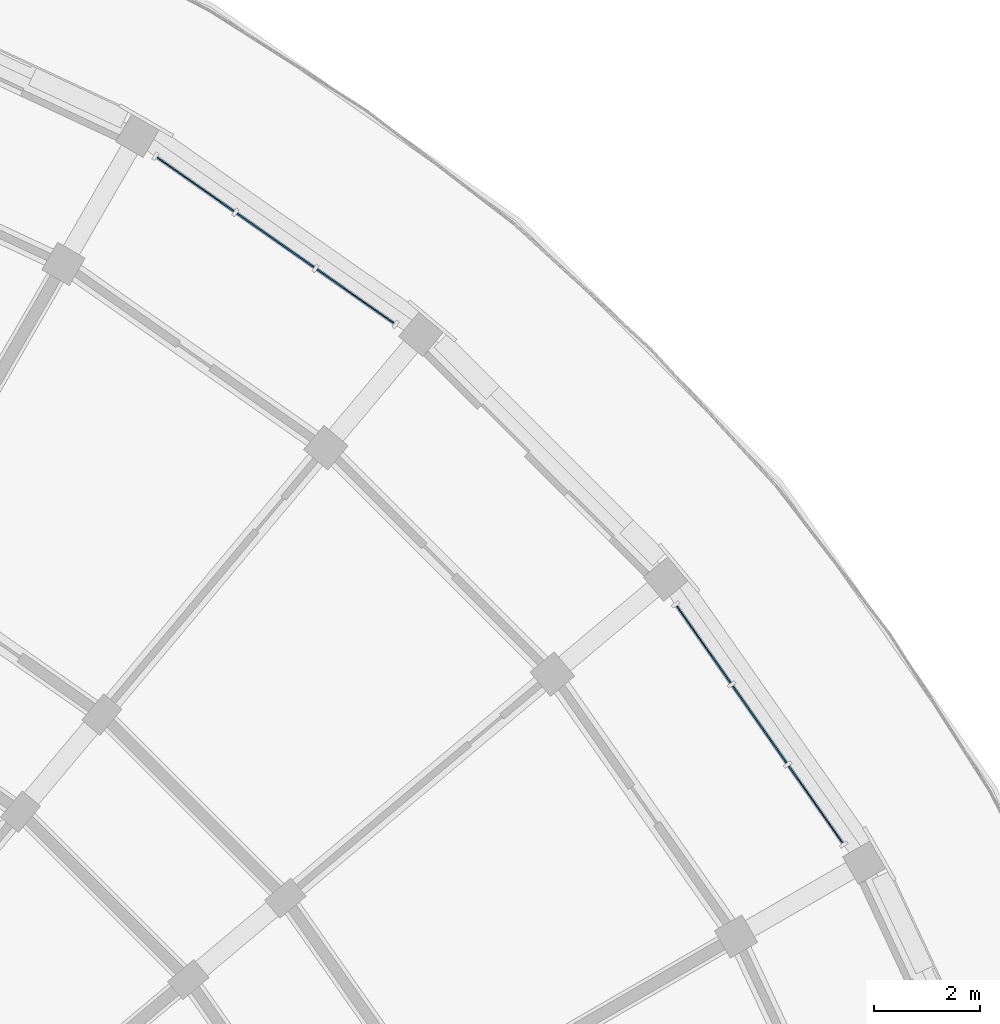
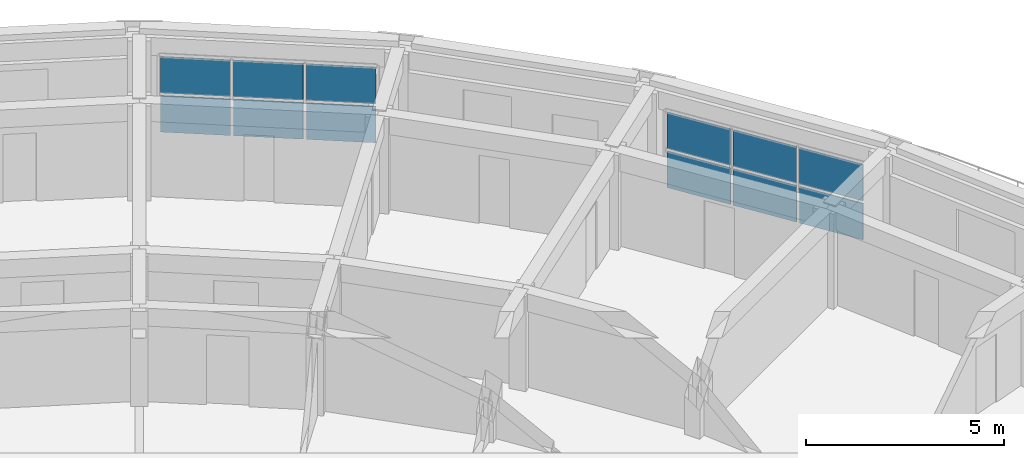
# One storey, part 10 of 36: 12 plates, 2 elements without a shape of their own.
"""IFC4 building model written with IfcOpenShell, lengths in metres."""

from ifc_helpers import new_model, si_unit, direction, frame, origin, origin_2d, place, context, subcontext, project, spatial, rectangle, extrude, material, layer, layer_set, type_object, element, aggregate, save


model = new_model("IFC4")

# Units and contexts
model_context = context("Model", 3, precision=1e-05, world=origin(), true_north=direction((0.0, 1.0)))
body_context = subcontext(model_context, "Body", "Model", "MODEL_VIEW")
ifc_project = project(units=[si_unit("LENGTHUNIT", "METRE"), si_unit("AREAUNIT", "SQUARE_METRE"), si_unit("VOLUMEUNIT", "CUBIC_METRE"), si_unit("PLANEANGLEUNIT", "RADIAN"), si_unit("MASSUNIT", "GRAM", prefix="KILO")], contexts=[model_context])

# Site, building, storey
site_placement = place(None, origin())
site = spatial("IfcSite", under=ifc_project, at=site_placement, CompositionType="ELEMENT")
building_placement = place(site_placement, origin())
building = spatial("IfcBuilding", under=site, at=building_placement, Name="Kiranvali Square Residences", CompositionType="ELEMENT")
storey_placement = place(building_placement, frame((0.0, 0.0, 37.050048828125)))
storey = spatial("IfcBuildingStorey", under=building, at=storey_placement, Name="L11", CompositionType="ELEMENT", Elevation=37.050048828125)

# Curtain wall, plates
ifc_material_1 = material(Name="Anodised bronze aluminium framing", Category="aluminium")
curtain_wall_type = type_object("IfcCurtainWallType", Name="CW-RES-LOG", PredefinedType="USERDEFINED", material=ifc_material_1)
curtain_wall_1_placement = place(storey_placement, origin())
curtain_wall_1 = element("IfcCurtainWall", 1, at=curtain_wall_1_placement, inside=storey, type_object=curtain_wall_type, Name="Block B L11 stepped curved terrace loggia 4", ObjectType="CURTAIN WALL", PredefinedType="USERDEFINED")
ifc_material_2 = material(Name="Solar-control low-e double glazing", Category="glass")
ifc_layer = layer(ifc_material_2, 0.028076171875)
ifc_layer_set = layer_set([ifc_layer], Name="Solar-control low-e double glazing")
plate_type = type_object("IfcPlateType", Name="PLT-CW-GLZ", PredefinedType="CURTAIN_PANEL", material=ifc_layer_set)
plate_1_placement = place(storey_placement, frame((139.70458984375, 119.442626953125, 0.079833984375), z_axis=(0.0, 0.0, 1.0), x_axis=(0.819152044289, -0.573576436351, 0.0)))
plate_1 = element("IfcPlate", 2, at=plate_1_placement, type_object=plate_type, Name="CW-B-L11-TER-03 glazed panel 1.1", PredefinedType="CURTAIN_PANEL", context=body_context, shape_type="SweptSolid", body=[
    extrude(rectangle(XDim=1.7646484375, YDim=0.028076171875, at=origin_2d()), origin(), (0.0, 0.0, 1.0), 1.1201171875),
])
plate_2_placement = place(storey_placement, frame((139.70458984375, 119.442626953125, 1.27978515625), z_axis=(0.0, 0.0, 1.0), x_axis=(0.819152044289, -0.573576436351, 0.0)))
plate_2 = element("IfcPlate", 3, at=plate_2_placement, type_object=plate_type, Name="CW-B-L11-TER-03 glazed panel 1.2", PredefinedType="CURTAIN_PANEL", context=body_context, shape_type="SweptSolid", body=[
    extrude(rectangle(XDim=1.7646484375, YDim=0.028076171875, at=origin_2d()), origin(), (0.0, 0.0, 1.0), 1.1201171875),
])
plate_3_placement = place(storey_placement, frame((141.215576171875, 118.384521484375, 0.079833984375), z_axis=(0.0, 0.0, 1.0), x_axis=(0.819152044289, -0.573576436351, 0.0)))
plate_3 = element("IfcPlate", 4, at=plate_3_placement, type_object=plate_type, Name="CW-B-L11-TER-03 glazed panel 2.1", PredefinedType="CURTAIN_PANEL", context=body_context, shape_type="SweptSolid", body=[
    extrude(rectangle(XDim=1.7646484375, YDim=0.028076171875, at=origin_2d()), origin(), (0.0, 0.0, 1.0), 1.1201171875),
])
plate_4_placement = place(storey_placement, frame((141.215576171875, 118.384521484375, 1.27978515625), z_axis=(0.0, 0.0, 1.0), x_axis=(0.819152044289, -0.573576436351, 0.0)))
plate_4 = element("IfcPlate", 5, at=plate_4_placement, type_object=plate_type, Name="CW-B-L11-TER-03 glazed panel 2.2", PredefinedType="CURTAIN_PANEL", context=body_context, shape_type="SweptSolid", body=[
    extrude(rectangle(XDim=1.7646484375, YDim=0.028076171875, at=origin_2d()), origin(), (0.0, 0.0, 1.0), 1.1201171875),
])
plate_5_placement = place(storey_placement, frame((142.7265625, 117.32666015625, 0.079833984375), z_axis=(0.0, 0.0, 1.0), x_axis=(0.819152044289, -0.573576436351, 0.0)))
plate_5 = element("IfcPlate", 6, at=plate_5_placement, type_object=plate_type, Name="CW-B-L11-TER-03 glazed panel 3.1", PredefinedType="CURTAIN_PANEL", context=body_context, shape_type="SweptSolid", body=[
    extrude(rectangle(XDim=1.7646484375, YDim=0.028076171875, at=origin_2d()), origin(), (0.0, 0.0, 1.0), 1.1201171875),
])
plate_6_placement = place(storey_placement, frame((142.7265625, 117.32666015625, 1.27978515625), z_axis=(0.0, 0.0, 1.0), x_axis=(0.819152044289, -0.573576436351, 0.0)))
plate_6 = element("IfcPlate", 7, at=plate_6_placement, type_object=plate_type, Name="CW-B-L11-TER-03 glazed panel 3.2", PredefinedType="CURTAIN_PANEL", context=body_context, shape_type="SweptSolid", body=[
    extrude(rectangle(XDim=1.7646484375, YDim=0.028076171875, at=origin_2d()), origin(), (0.0, 0.0, 1.0), 1.1201171875),
])
aggregate(curtain_wall_1, [plate_1, plate_2, plate_3, plate_4, plate_5, plate_6])

curtain_wall_2_placement = place(storey_placement, origin())
curtain_wall_2 = element("IfcCurtainWall", 8, at=curtain_wall_2_placement, inside=storey, type_object=curtain_wall_type, Name="Block B L11 stepped curved terrace loggia 6", ObjectType="CURTAIN WALL", PredefinedType="USERDEFINED")
plate_7_placement = place(storey_placement, frame((149.32666015625, 110.7265625, 0.079833984375), z_axis=(0.0, 0.0, 1.0), x_axis=(0.573576436351, -0.819152044289, 0.0)))
plate_7 = element("IfcPlate", 9, at=plate_7_placement, type_object=plate_type, Name="CW-B-L11-TER-05 glazed panel 1.1", PredefinedType="CURTAIN_PANEL", context=body_context, shape_type="SweptSolid", body=[
    extrude(rectangle(XDim=1.7646484375, YDim=0.028076171875, at=origin_2d()), origin(), (0.0, 0.0, 1.0), 1.1201171875),
])
plate_8_placement = place(storey_placement, frame((149.32666015625, 110.7265625, 1.27978515625), z_axis=(0.0, 0.0, 1.0), x_axis=(0.573576436351, -0.819152044289, 0.0)))
plate_8 = element("IfcPlate", 10, at=plate_8_placement, type_object=plate_type, Name="CW-B-L11-TER-05 glazed panel 1.2", PredefinedType="CURTAIN_PANEL", context=body_context, shape_type="SweptSolid", body=[
    extrude(rectangle(XDim=1.7646484375, YDim=0.028076171875, at=origin_2d()), origin(), (0.0, 0.0, 1.0), 1.1201171875),
])
plate_9_placement = place(storey_placement, frame((150.384521484375, 109.215576171875, 0.079833984375), z_axis=(0.0, 0.0, 1.0), x_axis=(0.573576436351, -0.819152044289, 0.0)))
plate_9 = element("IfcPlate", 11, at=plate_9_placement, type_object=plate_type, Name="CW-B-L11-TER-05 glazed panel 2.1", PredefinedType="CURTAIN_PANEL", context=body_context, shape_type="SweptSolid", body=[
    extrude(rectangle(XDim=1.7646484375, YDim=0.028076171875, at=origin_2d()), origin(), (0.0, 0.0, 1.0), 1.1201171875),
])
plate_10_placement = place(storey_placement, frame((150.384521484375, 109.215576171875, 1.27978515625), z_axis=(0.0, 0.0, 1.0), x_axis=(0.573576436351, -0.819152044289, 0.0)))
plate_10 = element("IfcPlate", 12, at=plate_10_placement, type_object=plate_type, Name="CW-B-L11-TER-05 glazed panel 2.2", PredefinedType="CURTAIN_PANEL", context=body_context, shape_type="SweptSolid", body=[
    extrude(rectangle(XDim=1.7646484375, YDim=0.028076171875, at=origin_2d()), origin(), (0.0, 0.0, 1.0), 1.1201171875),
])
plate_11_placement = place(storey_placement, frame((151.442626953125, 107.70458984375, 0.079833984375), z_axis=(0.0, 0.0, 1.0), x_axis=(0.573576436351, -0.819152044289, 0.0)))
plate_11 = element("IfcPlate", 13, at=plate_11_placement, type_object=plate_type, Name="CW-B-L11-TER-05 glazed panel 3.1", PredefinedType="CURTAIN_PANEL", context=body_context, shape_type="SweptSolid", body=[
    extrude(rectangle(XDim=1.7646484375, YDim=0.028076171875, at=origin_2d()), origin(), (0.0, 0.0, 1.0), 1.1201171875),
])
plate_12_placement = place(storey_placement, frame((151.442626953125, 107.70458984375, 1.27978515625), z_axis=(0.0, 0.0, 1.0), x_axis=(0.573576436351, -0.819152044289, 0.0)))
plate_12 = element("IfcPlate", 14, at=plate_12_placement, type_object=plate_type, Name="CW-B-L11-TER-05 glazed panel 3.2", PredefinedType="CURTAIN_PANEL", context=body_context, shape_type="SweptSolid", body=[
    extrude(rectangle(XDim=1.7646484375, YDim=0.028076171875, at=origin_2d()), origin(), (0.0, 0.0, 1.0), 1.1201171875),
])
aggregate(curtain_wall_2, [plate_7, plate_8, plate_9, plate_10, plate_11, plate_12])

save(model, "model.ifc")
